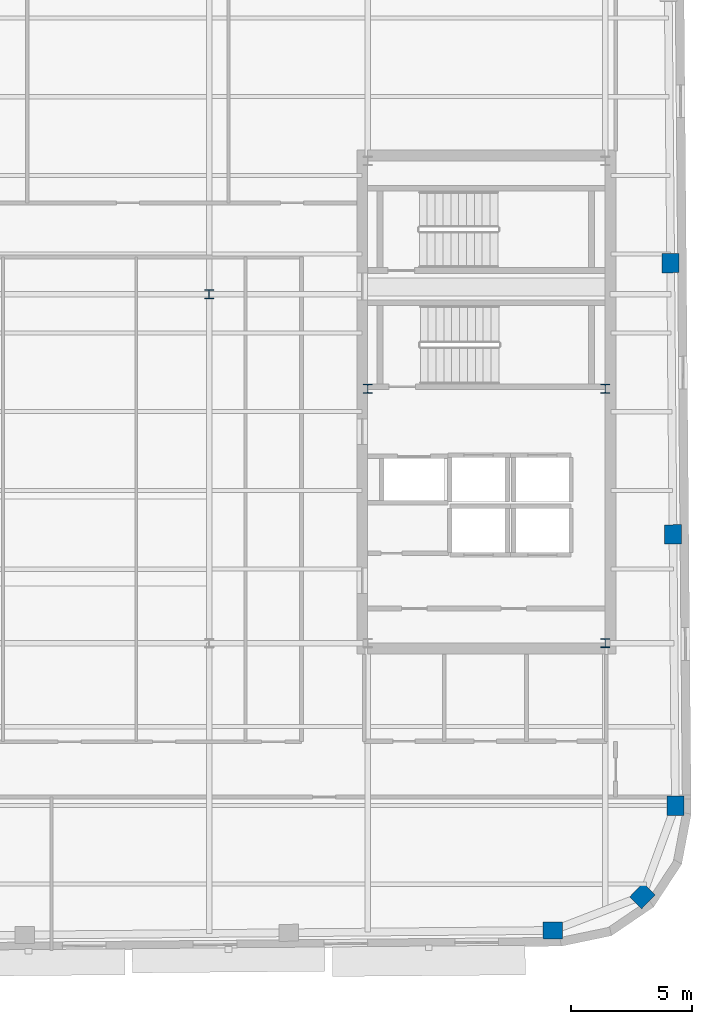
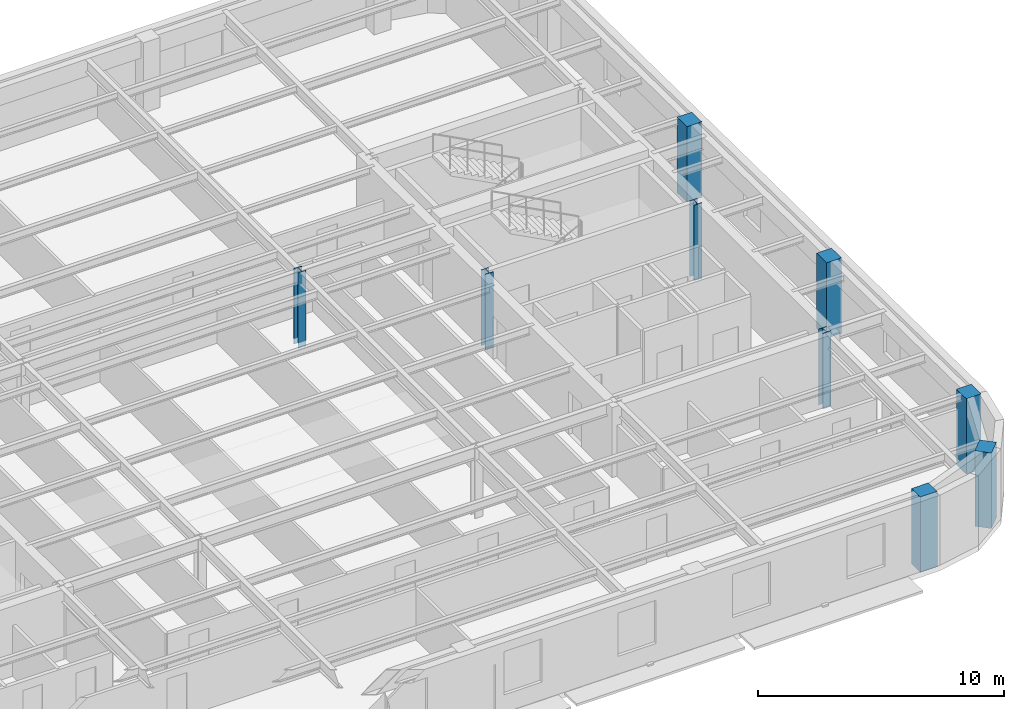
# One storey, part 2 of 14: 9 columns.
"""IFC4 building model written with IfcOpenShell, lengths in metres."""

from ifc_helpers import new_model, si_unit, direction, frame, origin, origin_2d, place, context, subcontext, project, spatial, rectangle, i_section, extrude, material, material_profile, profile_set, type_object, element, save


model = new_model("IFC4")

# Units and contexts
model_context = context("Model", 3, precision=1e-05, world=origin(), true_north=direction((0.0, 1.0)))
body_context = subcontext(model_context, "Body", "Model", "MODEL_VIEW")
ifc_project = project(units=[si_unit("LENGTHUNIT", "METRE"), si_unit("AREAUNIT", "SQUARE_METRE"), si_unit("VOLUMEUNIT", "CUBIC_METRE"), si_unit("PLANEANGLEUNIT", "RADIAN"), si_unit("MASSUNIT", "GRAM", prefix="KILO")], contexts=[model_context])

# Site, building, storey
site_placement = place(None, origin())
site = spatial("IfcSite", under=ifc_project, at=site_placement, CompositionType="ELEMENT")
building_placement = place(site_placement, origin())
building = spatial("IfcBuilding", under=site, at=building_placement, Name="Kolvaren Arena Tower", CompositionType="ELEMENT")
storey_placement = place(building_placement, frame((0.0, 0.0, 297.39990234375)))
storey = spatial("IfcBuildingStorey", under=building, at=storey_placement, Name="L73", CompositionType="ELEMENT", Elevation=297.39990234375)

# Columns
ifc_material_1 = material(Name="Precast concrete C50/60", Category="concrete")
ifc_material_profile_1 = material_profile(ifc_material_1, rectangle(XDim=0.800048828125, YDim=0.699951171875, at=origin_2d()), Name="RC-800x700")
ifc_profile_set_1 = profile_set([ifc_material_profile_1], Name="Precast concrete C50/60")
column_type_1 = type_object("IfcColumnType", Name="EXCOL-Z5", PredefinedType="COLUMN", material=ifc_profile_set_1)
for number, where, z_axis, x_axis, name in (
    (1, (58.190185546875, 7.591064453125, -0.27001953125), (0.0, 0.0, 1.0), (0.999961923064, 0.008726535498, 0.0), "Exoskeleton Perimeter Column 05 (L73)"),
    (2, (61.88671875, 9.0146484375, -0.27001953125), (0.0, 0.0, 1.0), (0.7009092643, 0.713250449154, 0.0), "Exoskeleton Perimeter Column 06 (L73)"),
    (3, (63.24560546875, 12.7353515625, -0.27001953125), (0.0, 0.0, 1.0), (-0.008726535498, 0.999961923064, 0.0), "Exoskeleton Perimeter Column 07 (L73)"),
    (4, (63.147705078125, 23.93505859375, -0.27001953125), (0.0, 0.0, 1.0), (-0.008726535498, 0.999961923064, 0.0), "Exoskeleton Perimeter Column 08 (L73)"),
    (5, (63.050048828125, 35.134521484375, -0.27001953125), (0.0, 0.0, 1.0), (-0.008726535498, 0.999961923064, 0.0), "Exoskeleton Perimeter Column 09 (L73)"),
):
    element("IfcColumn", number, at=place(storey_placement, frame(where, z_axis=z_axis, x_axis=x_axis)), inside=storey, type_object=column_type_1, Name=name, PredefinedType="COLUMN", context=body_context, shape_type="SweptSolid", body=[
        extrude(rectangle(XDim=0.800048828125, YDim=0.699951171875, at=origin_2d()), origin(), (0.0, 0.0, 1.0), 3.75),
    ])
ifc_material_2 = material(Name="Steel ASTM A913 Grade 65", Category="steel")
ifc_material_profile_2 = material_profile(ifc_material_2, i_section(OverallWidth=0.3740234375, OverallDepth=0.3720703125, WebThickness=0.016357421875, FlangeThickness=0.026123046875, FilletRadius=0.02001953125, at=origin_2d()), Name="W360x196")
ifc_profile_set_2 = profile_set([ifc_material_profile_2], Name="Steel ASTM A913 Grade 65")
column_type_2 = type_object("IfcColumnType", Name="SCOL-Z5", PredefinedType="COLUMN", material=ifc_profile_set_2)
for number, where, z_axis, x_axis, name in (
    (6, (60.35009765625, 19.449951171875, -0.27001953125), (0.0, 0.0, 1.0), (1.0, 0.0, 0.0), "Core Boundary Column EC-SE (L73)"),
    (7, (50.550048828125, 29.949951171875, -0.27001953125), (0.0, 0.0, 1.0), (1.0, 0.0, 0.0), "Core Boundary Column EC-MW (L73)"),
    (8, (60.35009765625, 29.949951171875, -0.27001953125), (0.0, 0.0, 1.0), (1.0, 0.0, 0.0), "Core Boundary Column EC-ME (L73)"),
    (9, (44.0, 33.85009765625, -0.27001953125), (0.0, 0.0, 1.0), (1.0, 0.0, 0.0), "Interior Gravity Column TC-NE (L73)"),
):
    element("IfcColumn", number, at=place(storey_placement, frame(where, z_axis=z_axis, x_axis=x_axis)), inside=storey, type_object=column_type_2, Name=name, PredefinedType="COLUMN", context=body_context, shape_type="SweptSolid", body=[
        extrude(i_section(OverallWidth=0.3740234375, OverallDepth=0.3720703125, WebThickness=0.016357421875, FlangeThickness=0.026123046875, FilletRadius=0.02001953125, at=origin_2d()), origin(), (0.0, 0.0, 1.0), 3.75),
    ])

save(model, "model.ifc")
